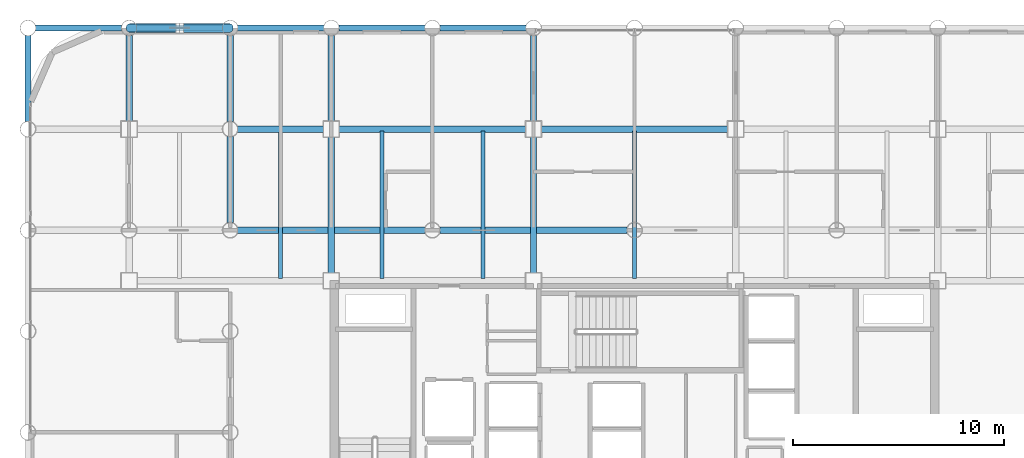
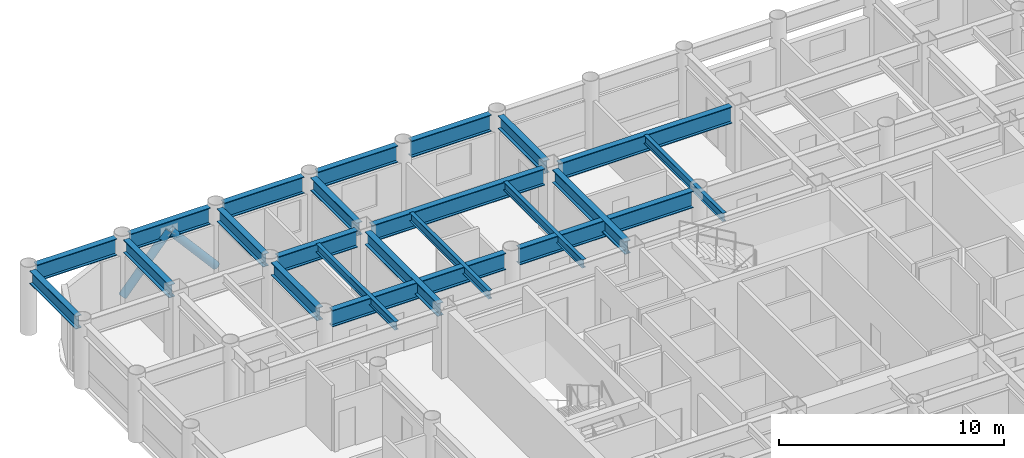
# One storey, part 10 of 20: 22 beams, 2 members.
"""IFC4 building model written with IfcOpenShell, lengths in metres."""

from ifc_helpers import new_model, si_unit, direction, frame, origin, origin_2d, place, context, subcontext, project, spatial, hollow_circle, i_section, extrude, material, material_profile, profile_set, type_object, element, save


model = new_model("IFC4")

# Units and contexts
model_context = context("Model", 3, precision=1e-05, world=origin(), true_north=direction((0.0, 1.0)))
body_context = subcontext(model_context, "Body", "Model", "MODEL_VIEW")
ifc_project = project(units=[si_unit("LENGTHUNIT", "METRE"), si_unit("AREAUNIT", "SQUARE_METRE"), si_unit("VOLUMEUNIT", "CUBIC_METRE"), si_unit("PLANEANGLEUNIT", "RADIAN"), si_unit("MASSUNIT", "GRAM", prefix="KILO")], contexts=[model_context])

# Site, building, storey
site_placement = place(None, origin())
site = spatial("IfcSite", under=ifc_project, at=site_placement, CompositionType="ELEMENT")
building_placement = place(site_placement, origin())
building = spatial("IfcBuilding", under=site, at=building_placement, Name="Kallvorn Hotel Tower", CompositionType="ELEMENT")
storey_placement = place(building_placement, frame((0.0, 0.0, 74.39990234375)))
storey = spatial("IfcBuildingStorey", under=building, at=storey_placement, Name="L17", CompositionType="ELEMENT", Elevation=74.39990234375)

# Beams
ifc_material_1 = material(Name="Structural steel S355JR", Category="steel")
ifc_material_profile_1 = material_profile(ifc_material_1, i_section(OverallWidth=0.300048828125, OverallDepth=0.699951171875, WebThickness=0.01708984375, FlangeThickness=0.031982421875, at=origin_2d()), Name="HE 700 B")
ifc_profile_set_1 = profile_set([ifc_material_profile_1], Name="Structural steel S355JR")
beam_type_1 = type_object("IfcBeamType", Name="BM_HE700B", PredefinedType="BEAM", material=ifc_profile_set_1)
beam_1_placement = place(storey_placement, frame((-28.800048828125, 14.756103515625, 3.170166015625), z_axis=(0.0, 1.0, 0.0), x_axis=(-1.0, 0.0, 0.0)))
element("IfcBeam", 1, at=beam_1_placement, inside=storey, type_object=beam_type_1, Name="L18 Primary Y-Girder 80", PredefinedType="BEAM", context=body_context, shape_type="SweptSolid", body=[
    extrude(i_section(OverallWidth=0.300048828125, OverallDepth=0.699951171875, WebThickness=0.01708984375, FlangeThickness=0.031982421875, at=origin_2d()), origin(), (0.0, 0.0, 1.0), 4.087890625),
])
beam_2_placement = place(storey_placement, frame((-24.0, 14.77490234375, 3.170166015625), z_axis=(0.0, 1.0, 0.0), x_axis=(-1.0, 0.0, 0.0)))
element("IfcBeam", 2, at=beam_2_placement, inside=storey, type_object=beam_type_1, Name="L18 Primary Y-Girder 87", PredefinedType="BEAM", context=body_context, shape_type="SweptSolid", body=[
    extrude(i_section(OverallWidth=0.300048828125, OverallDepth=0.699951171875, WebThickness=0.01708984375, FlangeThickness=0.031982421875, at=origin_2d()), origin(), (0.0, 0.0, 1.0), 4.069091796875),
])
for number, where, z_axis, x_axis, name in (
    (3, (-19.199951171875, 9.9560546875, 3.170166015625), (0.0, 1.0, 0.0), (-1.0, 0.0, 0.0), "L18 Primary Y-Girder 95"),
    (4, (-19.199951171875, 14.756103515625, 3.170166015625), (0.0, 1.0, 0.0), (-1.0, 0.0, 0.0), "L18 Primary Y-Girder 96"),
):
    element("IfcBeam", number, at=place(storey_placement, frame(where, z_axis=z_axis, x_axis=x_axis)), inside=storey, type_object=beam_type_1, Name=name, PredefinedType="BEAM", context=body_context, shape_type="SweptSolid", body=[
        extrude(i_section(OverallWidth=0.300048828125, OverallDepth=0.699951171875, WebThickness=0.01708984375, FlangeThickness=0.031982421875, at=origin_2d()), origin(), (0.0, 0.0, 1.0), 4.087890625),
    ])
beam_3_placement = place(storey_placement, frame((-14.39990234375, 7.574951171875, 3.170166015625), z_axis=(0.0, 1.0, 0.0), x_axis=(-1.0, 0.0, 0.0)))
element("IfcBeam", 5, at=beam_3_placement, inside=storey, type_object=beam_type_1, Name="L18 Primary Y-Girder 100", PredefinedType="BEAM", context=body_context, shape_type="SweptSolid", body=[
    extrude(i_section(OverallWidth=0.300048828125, OverallDepth=0.699951171875, WebThickness=0.01708984375, FlangeThickness=0.031982421875, at=origin_2d()), origin(), (0.0, 0.0, 1.0), 6.449951171875),
])
beam_4_placement = place(storey_placement, frame((-14.39990234375, 14.77490234375, 3.170166015625), z_axis=(0.0, 1.0, 0.0), x_axis=(-1.0, 0.0, 0.0)))
element("IfcBeam", 6, at=beam_4_placement, inside=storey, type_object=beam_type_1, Name="L18 Primary Y-Girder 101", PredefinedType="BEAM", context=body_context, shape_type="SweptSolid", body=[
    extrude(i_section(OverallWidth=0.300048828125, OverallDepth=0.699951171875, WebThickness=0.01708984375, FlangeThickness=0.031982421875, at=origin_2d()), origin(), (0.0, 0.0, 1.0), 4.069091796875),
])
beam_5_placement = place(storey_placement, frame((-4.800048828125, 7.574951171875, 3.170166015625), z_axis=(0.0, 1.0, 0.0), x_axis=(-1.0, 0.0, 0.0)))
element("IfcBeam", 7, at=beam_5_placement, inside=storey, type_object=beam_type_1, Name="L18 Primary Y-Girder 108", PredefinedType="BEAM", context=body_context, shape_type="SweptSolid", body=[
    extrude(i_section(OverallWidth=0.300048828125, OverallDepth=0.699951171875, WebThickness=0.01708984375, FlangeThickness=0.031982421875, at=origin_2d()), origin(), (0.0, 0.0, 1.0), 6.449951171875),
])
beam_6_placement = place(storey_placement, frame((-4.800048828125, 14.77490234375, 3.170166015625), z_axis=(0.0, 1.0, 0.0), x_axis=(-1.0, 0.0, 0.0)))
element("IfcBeam", 8, at=beam_6_placement, inside=storey, type_object=beam_type_1, Name="L18 Primary Y-Girder 109", PredefinedType="BEAM", context=body_context, shape_type="SweptSolid", body=[
    extrude(i_section(OverallWidth=0.300048828125, OverallDepth=0.699951171875, WebThickness=0.01708984375, FlangeThickness=0.031982421875, at=origin_2d()), origin(), (0.0, 0.0, 1.0), 4.069091796875),
])
ifc_material_2 = material(Name="Structural steel S355JR", Category="steel")
ifc_material_profile_2 = material_profile(ifc_material_2, i_section(OverallWidth=0.300048828125, OverallDepth=0.89990234375, WebThickness=0.0185546875, FlangeThickness=0.034912109375, at=origin_2d()), Name="HE 900 B")
ifc_profile_set_2 = profile_set([ifc_material_profile_2], Name="Structural steel S355JR")
beam_type_2 = type_object("IfcBeamType", Name="BM_HE900B", PredefinedType="BEAM", material=ifc_profile_set_2)
for number, where, z_axis, x_axis, name in (
    (9, (-18.843994140625, 9.60009765625, 3.070068359375), (1.0, 0.0, 0.0), (0.0, 1.0, 0.0), "L18 Primary X-Girder 44"),
    (10, (-9.243896484375, 9.60009765625, 3.070068359375), (1.0, 0.0, 0.0), (0.0, 1.0, 0.0), "L18 Primary X-Girder 45"),
):
    element("IfcBeam", number, at=place(storey_placement, frame(where, z_axis=z_axis, x_axis=x_axis)), inside=storey, type_object=beam_type_2, Name=name, PredefinedType="BEAM", context=body_context, shape_type="SweptSolid", body=[
        extrude(i_section(OverallWidth=0.300048828125, OverallDepth=0.89990234375, WebThickness=0.0185546875, FlangeThickness=0.034912109375, at=origin_2d()), origin(), (0.0, 0.0, 1.0), 8.887939453125),
    ])
beam_7_placement = place(storey_placement, frame((-18.843994140625, 14.39990234375, 3.070068359375), z_axis=(1.0, 0.0, 0.0), x_axis=(0.0, 1.0, 0.0)))
element("IfcBeam", 11, at=beam_7_placement, inside=storey, type_object=beam_type_2, Name="L18 Primary X-Girder 53", PredefinedType="BEAM", context=body_context, shape_type="SweptSolid", body=[
    extrude(i_section(OverallWidth=0.300048828125, OverallDepth=0.89990234375, WebThickness=0.0185546875, FlangeThickness=0.034912109375, at=origin_2d()), origin(), (0.0, 0.0, 1.0), 4.069091796875),
])
beam_8_placement = place(storey_placement, frame((-14.02490234375, 14.39990234375, 3.070068359375), z_axis=(1.0, 0.0, 0.0), x_axis=(0.0, 1.0, 0.0)))
element("IfcBeam", 12, at=beam_8_placement, inside=storey, type_object=beam_type_2, Name="L18 Primary X-Girder 54", PredefinedType="BEAM", context=body_context, shape_type="SweptSolid", body=[
    extrude(i_section(OverallWidth=0.300048828125, OverallDepth=0.89990234375, WebThickness=0.0185546875, FlangeThickness=0.034912109375, at=origin_2d()), origin(), (0.0, 0.0, 1.0), 8.849853515625),
])
beam_9_placement = place(storey_placement, frame((-4.425048828125, 14.39990234375, 3.070068359375), z_axis=(1.0, 0.0, 0.0), x_axis=(0.0, 1.0, 0.0)))
element("IfcBeam", 13, at=beam_9_placement, inside=storey, type_object=beam_type_2, Name="L18 Primary X-Girder 55", PredefinedType="BEAM", context=body_context, shape_type="SweptSolid", body=[
    extrude(i_section(OverallWidth=0.300048828125, OverallDepth=0.89990234375, WebThickness=0.0185546875, FlangeThickness=0.034912109375, at=origin_2d()), origin(), (0.0, 0.0, 1.0), 8.85009765625),
])
for number, where, z_axis, x_axis, name in (
    (14, (-28.444091796875, 19.199951171875, 3.070068359375), (1.0, 0.0, 0.0), (0.0, 1.0, 0.0), "L18 Primary X-Girder 61"),
    (15, (-23.64404296875, 19.199951171875, 3.070068359375), (1.0, 0.0, 0.0), (0.0, 1.0, 0.0), "L18 Primary X-Girder 62"),
):
    element("IfcBeam", number, at=place(storey_placement, frame(where, z_axis=z_axis, x_axis=x_axis)), inside=storey, type_object=beam_type_2, Name=name, PredefinedType="BEAM", context=body_context, shape_type="SweptSolid", body=[
        extrude(i_section(OverallWidth=0.300048828125, OverallDepth=0.89990234375, WebThickness=0.0185546875, FlangeThickness=0.034912109375, at=origin_2d()), origin(), (0.0, 0.0, 1.0), 4.088134765625),
    ])
for number, where, z_axis, x_axis, name in (
    (16, (-18.843994140625, 19.199951171875, 3.070068359375), (1.0, 0.0, 0.0), (0.0, 1.0, 0.0), "L18 Primary X-Girder 63"),
    (17, (-14.0439453125, 19.199951171875, 3.070068359375), (1.0, 0.0, 0.0), (0.0, 1.0, 0.0), "L18 Primary X-Girder 64"),
    (18, (-9.243896484375, 19.199951171875, 3.070068359375), (1.0, 0.0, 0.0), (0.0, 1.0, 0.0), "L18 Primary X-Girder 65"),
):
    element("IfcBeam", number, at=place(storey_placement, frame(where, z_axis=z_axis, x_axis=x_axis)), inside=storey, type_object=beam_type_2, Name=name, PredefinedType="BEAM", context=body_context, shape_type="SweptSolid", body=[
        extrude(i_section(OverallWidth=0.300048828125, OverallDepth=0.89990234375, WebThickness=0.0185546875, FlangeThickness=0.034912109375, at=origin_2d()), origin(), (0.0, 0.0, 1.0), 4.087890625),
    ])
ifc_material_3 = material(Name="Structural steel S355JR", Category="steel")
ifc_material_profile_3 = material_profile(ifc_material_3, i_section(OverallWidth=0.18994140625, OverallDepth=0.449951171875, WebThickness=0.009521484375, FlangeThickness=0.0146484375, at=origin_2d()), Name="IPE 450")
ifc_profile_set_3 = profile_set([ifc_material_profile_3], Name="Structural steel S355JR")
beam_type_3 = type_object("IfcBeamType", Name="BM_IPE450", PredefinedType="JOIST", material=ifc_profile_set_3)
for number, where, z_axis, x_axis, name in (
    (19, (-16.800048828125, 7.300048828125, 3.295166015625), (0.0, 1.0, 0.0), (-1.0, 0.0, 0.0), "L18 Secondary Composite Joist 195"),
    (20, (-12.0, 7.300048828125, 3.295166015625), (0.0, 1.0, 0.0), (-1.0, 0.0, 0.0), "L18 Secondary Composite Joist 197"),
    (21, (-7.199951171875, 7.300048828125, 3.295166015625), (0.0, 1.0, 0.0), (-1.0, 0.0, 0.0), "L18 Secondary Composite Joist 199"),
    (22, (0.0, 7.300048828125, 3.295166015625), (0.0, 1.0, 0.0), (-1.0, 0.0, 0.0), "L18 Secondary Composite Joist 201"),
):
    element("IfcBeam", number, at=place(storey_placement, frame(where, z_axis=z_axis, x_axis=x_axis)), inside=storey, type_object=beam_type_3, Name=name, PredefinedType="JOIST", context=body_context, shape_type="SweptSolid", body=[
        extrude(i_section(OverallWidth=0.18994140625, OverallDepth=0.449951171875, WebThickness=0.009521484375, FlangeThickness=0.0146484375, at=origin_2d()), origin(), (0.0, 0.0, 1.0), 7.0),
    ])

# Members
ifc_material_4 = material(Name="Structural steel S355J2H", Category="steel")
ifc_material_profile_4 = material_profile(ifc_material_4, hollow_circle(Radius=0.203125, WallThickness=0.01611328125, at=origin_2d()), Name="CHS 406.4x16")
ifc_profile_set_4 = profile_set([ifc_material_profile_4], Name="Structural steel S355J2H")
member_type = type_object("IfcMemberType", Name="MBR_EXO_CHS406", PredefinedType="BRACE", material=ifc_profile_set_4)
for number, where, z_axis, x_axis, name in (
    (23, (-23.98681640625, 19.199951171875, 0.1953125), (0.65346062529, 0.0, 0.756960508346), (0.0, 1.0, 0.0), "L17 Exoskeleton K-Brace N1A"),
    (24, (-19.213134765625, 19.199951171875, 0.1953125), (-0.65346062529, 0.0, 0.756960508346), (0.0, -1.0, 0.0), "L17 Exoskeleton K-Brace N1B"),
):
    element("IfcMember", number, at=place(storey_placement, frame(where, z_axis=z_axis, x_axis=x_axis)), inside=storey, type_object=member_type, Name=name, PredefinedType="BRACE", context=body_context, shape_type="SweptSolid", body=[
        extrude(hollow_circle(Radius=0.203125, WallThickness=0.01611328125, at=origin_2d()), origin(), (0.0, 0.0, 1.0), 3.632568359375),
    ])

save(model, "model.ifc")
